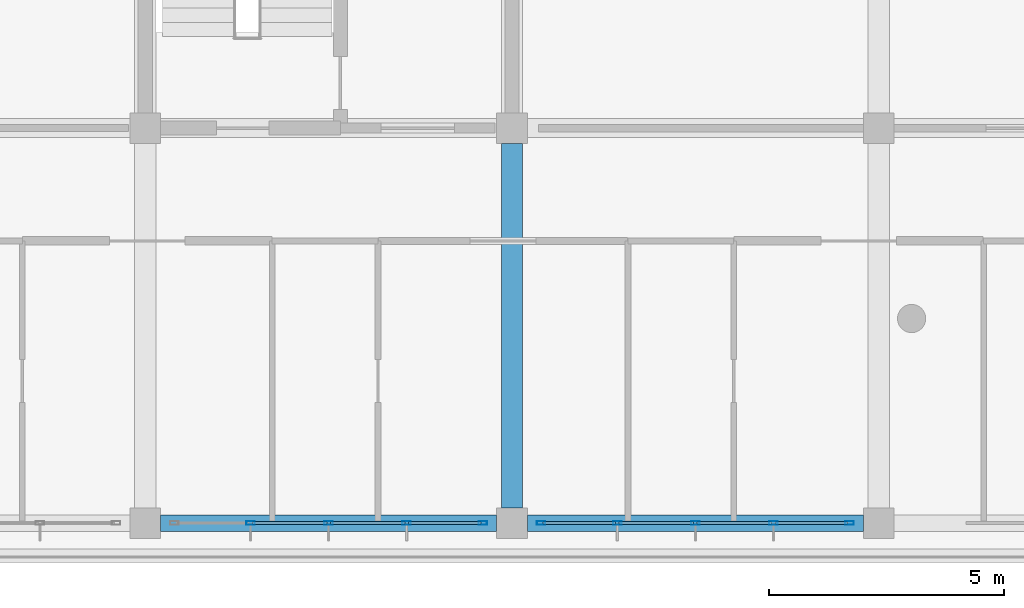
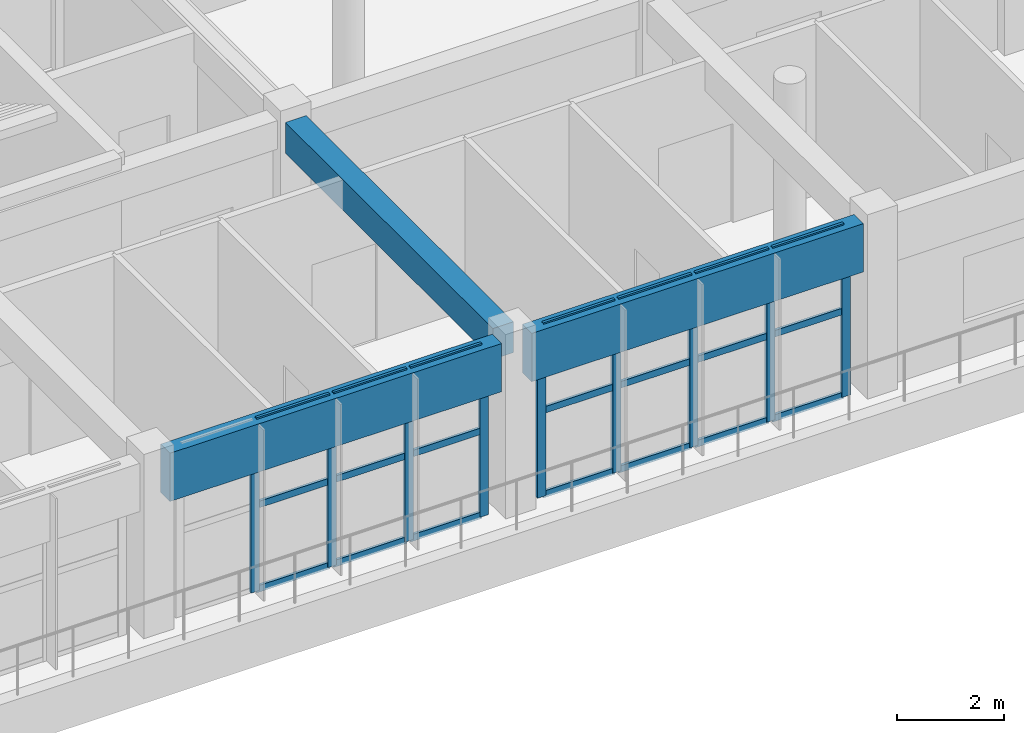
# One storey, part 24 of 63: 30 members, 3 beams, 2 elements without a shape of their own.
"""IFC4 building model written with IfcOpenShell, lengths in metres."""

from ifc_helpers import new_model, si_unit, direction, frame, origin, origin_2d, place, context, subcontext, project, spatial, rectangle, hollow_rectangle, extrude, material, layer, layer_set, material_profile, profile_set, type_object, element, aggregate, save


model = new_model("IFC4")

# Units and contexts
model_context = context("Model", 3, precision=1e-05, world=origin(), true_north=direction((0.0, 1.0)))
body_context = subcontext(model_context, "Body", "Model", "MODEL_VIEW")
ifc_project = project(units=[si_unit("LENGTHUNIT", "METRE"), si_unit("AREAUNIT", "SQUARE_METRE"), si_unit("VOLUMEUNIT", "CUBIC_METRE"), si_unit("PLANEANGLEUNIT", "RADIAN"), si_unit("MASSUNIT", "GRAM", prefix="KILO")], contexts=[model_context])

# Site, building, storey
site_placement = place(None, origin())
site = spatial("IfcSite", under=ifc_project, at=site_placement, CompositionType="ELEMENT")
building_placement = place(site_placement, origin())
building = spatial("IfcBuilding", under=site, at=building_placement, Name="Zizhar Promenade General Hospital", CompositionType="ELEMENT")
storey_placement = place(building_placement, frame((0.0, 0.0, 18.0)))
storey = spatial("IfcBuildingStorey", under=building, at=storey_placement, Name="L04", CompositionType="ELEMENT", Elevation=18.0)

# Beams
ifc_material_1 = material(Name="Precast concrete C40/50", Category="concrete")
ifc_material_profile_1 = material_profile(ifc_material_1, rectangle(XDim=0.35009765625, YDim=1.10009765625, at=origin_2d()))
ifc_profile_set_1 = profile_set([ifc_material_profile_1], Name="Precast concrete C40/50")
beam_type_1 = type_object("IfcBeamType", Name="BM-PC-BAND1100", PredefinedType="SPANDREL", material=ifc_profile_set_1)
for number, where, z_axis, x_axis, name in (
    (1, (93.925048828125, 0.0, 3.360107421875), (1.0, 0.0, 0.0), (0.0, 1.0, 0.0), "Grid Beam X L04 (12-0)"),
    (2, (101.72509765625, 0.0, 3.360107421875), (1.0, 0.0, 0.0), (0.0, 1.0, 0.0), "Grid Beam X L04 (13-0)"),
):
    element("IfcBeam", number, at=place(storey_placement, frame(where, z_axis=z_axis, x_axis=x_axis)), inside=storey, type_object=beam_type_1, Name=name, PredefinedType="SPANDREL", context=body_context, shape_type="SweptSolid", body=[
        extrude(rectangle(XDim=0.35009765625, YDim=1.10009765625, at=origin_2d()), origin(), (0.0, 0.0, 1.0), 7.14990234375),
    ])
ifc_material_2 = material(Name="Concrete C35/45", Category="concrete")
ifc_material_profile_2 = material_profile(ifc_material_2, rectangle(XDim=0.449951171875, YDim=0.699951171875, at=origin_2d()))
ifc_profile_set_2 = profile_set([ifc_material_profile_2], Name="Concrete C35/45")
beam_type_2 = type_object("IfcBeamType", Name="BM-RC-450x700", PredefinedType="BEAM", material=ifc_profile_set_2)
beam_placement = place(storey_placement, frame((101.39990234375, 0.324951171875, 3.56005859375), z_axis=(0.0, 1.0, 0.0), x_axis=(-1.0, 0.0, 0.0)))
element("IfcBeam", 3, at=beam_placement, inside=storey, type_object=beam_type_2, Name="Grid Beam Y L04 (13-0)", PredefinedType="BEAM", context=body_context, shape_type="SweptSolid", body=[
    extrude(rectangle(XDim=0.449951171875, YDim=0.699951171875, at=origin_2d()), origin(), (0.0, 0.0, 1.0), 7.75),
])

# Curtain wall, members
ifc_material_3 = material(Name="Anodised aluminium 6063-T6 and low-E glass", Category="aluminium")
ifc_layer = layer(ifc_material_3, 0.159912109375)
ifc_layer_set = layer_set([ifc_layer], Name="Anodised aluminium 6063-T6 and low-E glass")
curtain_wall_type = type_object("IfcCurtainWallType", Name="CW-WARD-RIB", PredefinedType="NOTDEFINED", material=ifc_layer_set)
curtain_wall_1_placement = place(storey_placement, origin())
curtain_wall_1 = element("IfcCurtainWall", 4, at=curtain_wall_1_placement, inside=storey, type_object=curtain_wall_type, Name="Ward Ribbon Curtain Wall L04-17-1", PredefinedType="NOTDEFINED")
ifc_material_4 = material(Name="Anodised aluminium 6063-T6", Category="aluminium")
ifc_material_profile_3 = material_profile(ifc_material_4, hollow_rectangle(XDim=0.080078125, YDim=0.179931640625, WallThickness=0.0048828125, at=origin_2d()))
ifc_profile_set_3 = profile_set([ifc_material_profile_3], Name="Anodised aluminium 6063-T6")
member_type_1 = type_object("IfcMemberType", Name="CWM-ALU-180x80", PredefinedType="MULLION", material=ifc_profile_set_3)
member_1_placement = place(storey_placement, frame((108.580078125, 0.0, 0.0), z_axis=(0.0, 0.0, 1.0), x_axis=(0.0, -1.0, 0.0)))
member_1 = element("IfcMember", 5, at=member_1_placement, type_object=member_type_1, Name="CW-13 mullion 1", PredefinedType="MULLION", context=body_context, shape_type="SweptSolid", body=[
    extrude(hollow_rectangle(XDim=0.080078125, YDim=0.179931640625, WallThickness=0.0048828125, at=origin_2d()), origin(), (0.0, 0.0, 1.0), 3.89990234375),
])
member_2_placement = place(storey_placement, frame((106.9599609375, 0.0, 0.0), z_axis=(0.0, 0.0, 1.0), x_axis=(0.0, -1.0, 0.0)))
member_2 = element("IfcMember", 6, at=member_2_placement, type_object=member_type_1, Name="CW-13 mullion 2", PredefinedType="MULLION", context=body_context, shape_type="SweptSolid", body=[
    extrude(hollow_rectangle(XDim=0.080078125, YDim=0.179931640625, WallThickness=0.0048828125, at=origin_2d()), origin(), (0.0, 0.0, 1.0), 3.89990234375),
])
member_3_placement = place(storey_placement, frame((105.300048828125, 0.0, 0.0), z_axis=(0.0, 0.0, 1.0), x_axis=(0.0, -1.0, 0.0)))
member_3 = element("IfcMember", 7, at=member_3_placement, type_object=member_type_1, Name="CW-13 mullion 3", PredefinedType="MULLION", context=body_context, shape_type="SweptSolid", body=[
    extrude(hollow_rectangle(XDim=0.080078125, YDim=0.179931640625, WallThickness=0.0048828125, at=origin_2d()), origin(), (0.0, 0.0, 1.0), 3.89990234375),
])
member_4_placement = place(storey_placement, frame((103.639892578125, 0.0, 0.0), z_axis=(0.0, 0.0, 1.0), x_axis=(0.0, -1.0, 0.0)))
member_4 = element("IfcMember", 8, at=member_4_placement, type_object=member_type_1, Name="CW-13 mullion 4", PredefinedType="MULLION", context=body_context, shape_type="SweptSolid", body=[
    extrude(hollow_rectangle(XDim=0.080078125, YDim=0.179931640625, WallThickness=0.0048828125, at=origin_2d()), origin(), (0.0, 0.0, 1.0), 3.89990234375),
])
member_5_placement = place(storey_placement, frame((102.02001953125, 0.0, 0.0), z_axis=(0.0, 0.0, 1.0), x_axis=(0.0, -1.0, 0.0)))
member_5 = element("IfcMember", 9, at=member_5_placement, type_object=member_type_1, Name="CW-13 mullion 5", PredefinedType="MULLION", context=body_context, shape_type="SweptSolid", body=[
    extrude(hollow_rectangle(XDim=0.080078125, YDim=0.179931640625, WallThickness=0.0048828125, at=origin_2d()), origin(), (0.0, 0.0, 1.0), 3.89990234375),
])

curtain_wall_2_placement = place(storey_placement, origin())
curtain_wall_2 = element("IfcCurtainWall", 10, at=curtain_wall_2_placement, inside=storey, type_object=curtain_wall_type, Name="Ward Ribbon Curtain Wall L04-17-2", PredefinedType="NOTDEFINED")
member_6_placement = place(storey_placement, frame((100.780029296875, 0.0, 0.0), z_axis=(0.0, 0.0, 1.0), x_axis=(0.0, -1.0, 0.0)))
member_6 = element("IfcMember", 11, at=member_6_placement, type_object=member_type_1, Name="CW-13 mullion 1", PredefinedType="MULLION", context=body_context, shape_type="SweptSolid", body=[
    extrude(hollow_rectangle(XDim=0.080078125, YDim=0.179931640625, WallThickness=0.0048828125, at=origin_2d()), origin(), (0.0, 0.0, 1.0), 3.89990234375),
])
member_7_placement = place(storey_placement, frame((99.159912109375, 0.0, 0.0), z_axis=(0.0, 0.0, 1.0), x_axis=(0.0, -1.0, 0.0)))
member_7 = element("IfcMember", 12, at=member_7_placement, type_object=member_type_1, Name="CW-13 mullion 2", PredefinedType="MULLION", context=body_context, shape_type="SweptSolid", body=[
    extrude(hollow_rectangle(XDim=0.080078125, YDim=0.179931640625, WallThickness=0.0048828125, at=origin_2d()), origin(), (0.0, 0.0, 1.0), 3.89990234375),
])
member_8_placement = place(storey_placement, frame((97.5, 0.0, 0.0), z_axis=(0.0, 0.0, 1.0), x_axis=(0.0, -1.0, 0.0)))
member_8 = element("IfcMember", 13, at=member_8_placement, type_object=member_type_1, Name="CW-13 mullion 3", PredefinedType="MULLION", context=body_context, shape_type="SweptSolid", body=[
    extrude(hollow_rectangle(XDim=0.080078125, YDim=0.179931640625, WallThickness=0.0048828125, at=origin_2d()), origin(), (0.0, 0.0, 1.0), 3.89990234375),
])
member_9_placement = place(storey_placement, frame((95.840087890625, 0.0, 0.0), z_axis=(0.0, 0.0, 1.0), x_axis=(0.0, -1.0, 0.0)))
member_9 = element("IfcMember", 14, at=member_9_placement, type_object=member_type_1, Name="CW-13 mullion 4", PredefinedType="MULLION", context=body_context, shape_type="SweptSolid", body=[
    extrude(hollow_rectangle(XDim=0.080078125, YDim=0.179931640625, WallThickness=0.0048828125, at=origin_2d()), origin(), (0.0, 0.0, 1.0), 3.89990234375),
])

# Member
ifc_material_5 = material(Name="Anodised aluminium 6063-T6", Category="aluminium")
ifc_material_profile_4 = material_profile(ifc_material_5, hollow_rectangle(XDim=0.06005859375, YDim=0.14990234375, WallThickness=0.00390625, at=origin_2d()))
ifc_profile_set_4 = profile_set([ifc_material_profile_4], Name="Anodised aluminium 6063-T6")
member_type_2 = type_object("IfcMemberType", Name="CWT-ALU-150x60", PredefinedType="USERDEFINED", material=ifc_profile_set_4)
member_10_placement = place(storey_placement, frame((108.5400390625, 0.0, 0.030029296875), z_axis=(-1.0, 0.0, 0.0), x_axis=(0.0, -1.0, 0.0)))
member_10 = element("IfcMember", 15, at=member_10_placement, type_object=member_type_2, Name="CW-13 transom 1.1", ObjectType="TRANSOM", PredefinedType="USERDEFINED", context=body_context, shape_type="SweptSolid", body=[
    extrude(hollow_rectangle(XDim=0.06005859375, YDim=0.14990234375, WallThickness=0.00390625, at=origin_2d()), origin(), (0.0, 0.0, 1.0), 1.5400390625),
])

member_11_placement = place(storey_placement, frame((108.5400390625, 0.0, 1.949951171875), z_axis=(-1.0, 0.0, 0.0), x_axis=(0.0, -1.0, 0.0)))
member_11 = element("IfcMember", 16, at=member_11_placement, type_object=member_type_2, Name="CW-13 transom 1.2", ObjectType="TRANSOM", PredefinedType="USERDEFINED", context=body_context, shape_type="SweptSolid", body=[
    extrude(hollow_rectangle(XDim=0.06005859375, YDim=0.14990234375, WallThickness=0.00390625, at=origin_2d()), origin(), (0.0, 0.0, 1.0), 1.5400390625),
])

member_12_placement = place(storey_placement, frame((108.5400390625, 0.0, 3.8701171875), z_axis=(-1.0, 0.0, 0.0), x_axis=(0.0, -1.0, 0.0)))
member_12 = element("IfcMember", 17, at=member_12_placement, type_object=member_type_2, Name="CW-13 transom 1.3", ObjectType="TRANSOM", PredefinedType="USERDEFINED", context=body_context, shape_type="SweptSolid", body=[
    extrude(hollow_rectangle(XDim=0.06005859375, YDim=0.14990234375, WallThickness=0.00390625, at=origin_2d()), origin(), (0.0, 0.0, 1.0), 1.5400390625),
])

member_13_placement = place(storey_placement, frame((106.919921875, 0.0, 0.030029296875), z_axis=(-1.0, 0.0, 0.0), x_axis=(0.0, -1.0, 0.0)))
member_13 = element("IfcMember", 18, at=member_13_placement, type_object=member_type_2, Name="CW-13 transom 2.1", ObjectType="TRANSOM", PredefinedType="USERDEFINED", context=body_context, shape_type="SweptSolid", body=[
    extrude(hollow_rectangle(XDim=0.06005859375, YDim=0.14990234375, WallThickness=0.00390625, at=origin_2d()), origin(), (0.0, 0.0, 1.0), 1.579833984375),
])

member_14_placement = place(storey_placement, frame((106.919921875, 0.0, 1.949951171875), z_axis=(-1.0, 0.0, 0.0), x_axis=(0.0, -1.0, 0.0)))
member_14 = element("IfcMember", 19, at=member_14_placement, type_object=member_type_2, Name="CW-13 transom 2.2", ObjectType="TRANSOM", PredefinedType="USERDEFINED", context=body_context, shape_type="SweptSolid", body=[
    extrude(hollow_rectangle(XDim=0.06005859375, YDim=0.14990234375, WallThickness=0.00390625, at=origin_2d()), origin(), (0.0, 0.0, 1.0), 1.579833984375),
])

member_15_placement = place(storey_placement, frame((106.919921875, 0.0, 3.8701171875), z_axis=(-1.0, 0.0, 0.0), x_axis=(0.0, -1.0, 0.0)))
member_15 = element("IfcMember", 20, at=member_15_placement, type_object=member_type_2, Name="CW-13 transom 2.3", ObjectType="TRANSOM", PredefinedType="USERDEFINED", context=body_context, shape_type="SweptSolid", body=[
    extrude(hollow_rectangle(XDim=0.06005859375, YDim=0.14990234375, WallThickness=0.00390625, at=origin_2d()), origin(), (0.0, 0.0, 1.0), 1.579833984375),
])

member_16_placement = place(storey_placement, frame((105.260009765625, 0.0, 0.030029296875), z_axis=(-1.0, 0.0, 0.0), x_axis=(0.0, -1.0, 0.0)))
member_16 = element("IfcMember", 21, at=member_16_placement, type_object=member_type_2, Name="CW-13 transom 3.1", ObjectType="TRANSOM", PredefinedType="USERDEFINED", context=body_context, shape_type="SweptSolid", body=[
    extrude(hollow_rectangle(XDim=0.06005859375, YDim=0.14990234375, WallThickness=0.00390625, at=origin_2d()), origin(), (0.0, 0.0, 1.0), 1.580078125),
])

member_17_placement = place(storey_placement, frame((105.260009765625, 0.0, 1.949951171875), z_axis=(-1.0, 0.0, 0.0), x_axis=(0.0, -1.0, 0.0)))
member_17 = element("IfcMember", 22, at=member_17_placement, type_object=member_type_2, Name="CW-13 transom 3.2", ObjectType="TRANSOM", PredefinedType="USERDEFINED", context=body_context, shape_type="SweptSolid", body=[
    extrude(hollow_rectangle(XDim=0.06005859375, YDim=0.14990234375, WallThickness=0.00390625, at=origin_2d()), origin(), (0.0, 0.0, 1.0), 1.580078125),
])

member_18_placement = place(storey_placement, frame((105.260009765625, 0.0, 3.8701171875), z_axis=(-1.0, 0.0, 0.0), x_axis=(0.0, -1.0, 0.0)))
member_18 = element("IfcMember", 23, at=member_18_placement, type_object=member_type_2, Name="CW-13 transom 3.3", ObjectType="TRANSOM", PredefinedType="USERDEFINED", context=body_context, shape_type="SweptSolid", body=[
    extrude(hollow_rectangle(XDim=0.06005859375, YDim=0.14990234375, WallThickness=0.00390625, at=origin_2d()), origin(), (0.0, 0.0, 1.0), 1.580078125),
])

member_19_placement = place(storey_placement, frame((103.60009765625, 0.0, 0.030029296875), z_axis=(-1.0, 0.0, 0.0), x_axis=(0.0, -1.0, 0.0)))
member_19 = element("IfcMember", 24, at=member_19_placement, type_object=member_type_2, Name="CW-13 transom 4.1", ObjectType="TRANSOM", PredefinedType="USERDEFINED", context=body_context, shape_type="SweptSolid", body=[
    extrude(hollow_rectangle(XDim=0.06005859375, YDim=0.14990234375, WallThickness=0.00390625, at=origin_2d()), origin(), (0.0, 0.0, 1.0), 1.5400390625),
])

member_20_placement = place(storey_placement, frame((103.60009765625, 0.0, 1.949951171875), z_axis=(-1.0, 0.0, 0.0), x_axis=(0.0, -1.0, 0.0)))
member_20 = element("IfcMember", 25, at=member_20_placement, type_object=member_type_2, Name="CW-13 transom 4.2", ObjectType="TRANSOM", PredefinedType="USERDEFINED", context=body_context, shape_type="SweptSolid", body=[
    extrude(hollow_rectangle(XDim=0.06005859375, YDim=0.14990234375, WallThickness=0.00390625, at=origin_2d()), origin(), (0.0, 0.0, 1.0), 1.5400390625),
])

member_21_placement = place(storey_placement, frame((103.60009765625, 0.0, 3.8701171875), z_axis=(-1.0, 0.0, 0.0), x_axis=(0.0, -1.0, 0.0)))
member_21 = element("IfcMember", 26, at=member_21_placement, type_object=member_type_2, Name="CW-13 transom 4.3", ObjectType="TRANSOM", PredefinedType="USERDEFINED", context=body_context, shape_type="SweptSolid", body=[
    extrude(hollow_rectangle(XDim=0.06005859375, YDim=0.14990234375, WallThickness=0.00390625, at=origin_2d()), origin(), (0.0, 0.0, 1.0), 1.5400390625),
])

aggregate(curtain_wall_1, [member_1, member_2, member_3, member_4, member_5, member_10, member_11, member_12, member_13, member_14, member_15, member_16, member_17, member_18, member_19, member_20, member_21])

member_22_placement = place(storey_placement, frame((100.739990234375, 0.0, 0.030029296875), z_axis=(-1.0, 0.0, 0.0), x_axis=(0.0, -1.0, 0.0)))
member_22 = element("IfcMember", 27, at=member_22_placement, type_object=member_type_2, Name="CW-13 transom 1.1", ObjectType="TRANSOM", PredefinedType="USERDEFINED", context=body_context, shape_type="SweptSolid", body=[
    extrude(hollow_rectangle(XDim=0.06005859375, YDim=0.14990234375, WallThickness=0.00390625, at=origin_2d()), origin(), (0.0, 0.0, 1.0), 1.5400390625),
])

member_23_placement = place(storey_placement, frame((100.739990234375, 0.0, 1.949951171875), z_axis=(-1.0, 0.0, 0.0), x_axis=(0.0, -1.0, 0.0)))
member_23 = element("IfcMember", 28, at=member_23_placement, type_object=member_type_2, Name="CW-13 transom 1.2", ObjectType="TRANSOM", PredefinedType="USERDEFINED", context=body_context, shape_type="SweptSolid", body=[
    extrude(hollow_rectangle(XDim=0.06005859375, YDim=0.14990234375, WallThickness=0.00390625, at=origin_2d()), origin(), (0.0, 0.0, 1.0), 1.5400390625),
])

member_24_placement = place(storey_placement, frame((100.739990234375, 0.0, 3.8701171875), z_axis=(-1.0, 0.0, 0.0), x_axis=(0.0, -1.0, 0.0)))
member_24 = element("IfcMember", 29, at=member_24_placement, type_object=member_type_2, Name="CW-13 transom 1.3", ObjectType="TRANSOM", PredefinedType="USERDEFINED", context=body_context, shape_type="SweptSolid", body=[
    extrude(hollow_rectangle(XDim=0.06005859375, YDim=0.14990234375, WallThickness=0.00390625, at=origin_2d()), origin(), (0.0, 0.0, 1.0), 1.5400390625),
])

member_25_placement = place(storey_placement, frame((99.1201171875, 0.0, 0.030029296875), z_axis=(-1.0, 0.0, 0.0), x_axis=(0.0, -1.0, 0.0)))
member_25 = element("IfcMember", 30, at=member_25_placement, type_object=member_type_2, Name="CW-13 transom 2.1", ObjectType="TRANSOM", PredefinedType="USERDEFINED", context=body_context, shape_type="SweptSolid", body=[
    extrude(hollow_rectangle(XDim=0.06005859375, YDim=0.14990234375, WallThickness=0.00390625, at=origin_2d()), origin(), (0.0, 0.0, 1.0), 1.580078125),
])

member_26_placement = place(storey_placement, frame((99.1201171875, 0.0, 1.949951171875), z_axis=(-1.0, 0.0, 0.0), x_axis=(0.0, -1.0, 0.0)))
member_26 = element("IfcMember", 31, at=member_26_placement, type_object=member_type_2, Name="CW-13 transom 2.2", ObjectType="TRANSOM", PredefinedType="USERDEFINED", context=body_context, shape_type="SweptSolid", body=[
    extrude(hollow_rectangle(XDim=0.06005859375, YDim=0.14990234375, WallThickness=0.00390625, at=origin_2d()), origin(), (0.0, 0.0, 1.0), 1.580078125),
])

member_27_placement = place(storey_placement, frame((99.1201171875, 0.0, 3.8701171875), z_axis=(-1.0, 0.0, 0.0), x_axis=(0.0, -1.0, 0.0)))
member_27 = element("IfcMember", 32, at=member_27_placement, type_object=member_type_2, Name="CW-13 transom 2.3", ObjectType="TRANSOM", PredefinedType="USERDEFINED", context=body_context, shape_type="SweptSolid", body=[
    extrude(hollow_rectangle(XDim=0.06005859375, YDim=0.14990234375, WallThickness=0.00390625, at=origin_2d()), origin(), (0.0, 0.0, 1.0), 1.580078125),
])

member_28_placement = place(storey_placement, frame((97.4599609375, 0.0, 0.030029296875), z_axis=(-1.0, 0.0, 0.0), x_axis=(0.0, -1.0, 0.0)))
member_28 = element("IfcMember", 33, at=member_28_placement, type_object=member_type_2, Name="CW-13 transom 3.1", ObjectType="TRANSOM", PredefinedType="USERDEFINED", context=body_context, shape_type="SweptSolid", body=[
    extrude(hollow_rectangle(XDim=0.06005859375, YDim=0.14990234375, WallThickness=0.00390625, at=origin_2d()), origin(), (0.0, 0.0, 1.0), 1.580078125),
])

member_29_placement = place(storey_placement, frame((97.4599609375, 0.0, 1.949951171875), z_axis=(-1.0, 0.0, 0.0), x_axis=(0.0, -1.0, 0.0)))
member_29 = element("IfcMember", 34, at=member_29_placement, type_object=member_type_2, Name="CW-13 transom 3.2", ObjectType="TRANSOM", PredefinedType="USERDEFINED", context=body_context, shape_type="SweptSolid", body=[
    extrude(hollow_rectangle(XDim=0.06005859375, YDim=0.14990234375, WallThickness=0.00390625, at=origin_2d()), origin(), (0.0, 0.0, 1.0), 1.580078125),
])

member_30_placement = place(storey_placement, frame((97.4599609375, 0.0, 3.8701171875), z_axis=(-1.0, 0.0, 0.0), x_axis=(0.0, -1.0, 0.0)))
member_30 = element("IfcMember", 35, at=member_30_placement, type_object=member_type_2, Name="CW-13 transom 3.3", ObjectType="TRANSOM", PredefinedType="USERDEFINED", context=body_context, shape_type="SweptSolid", body=[
    extrude(hollow_rectangle(XDim=0.06005859375, YDim=0.14990234375, WallThickness=0.00390625, at=origin_2d()), origin(), (0.0, 0.0, 1.0), 1.580078125),
])

aggregate(curtain_wall_2, [member_6, member_7, member_8, member_9, member_22, member_23, member_24, member_25, member_26, member_27, member_28, member_29, member_30])

save(model, "model.ifc")
